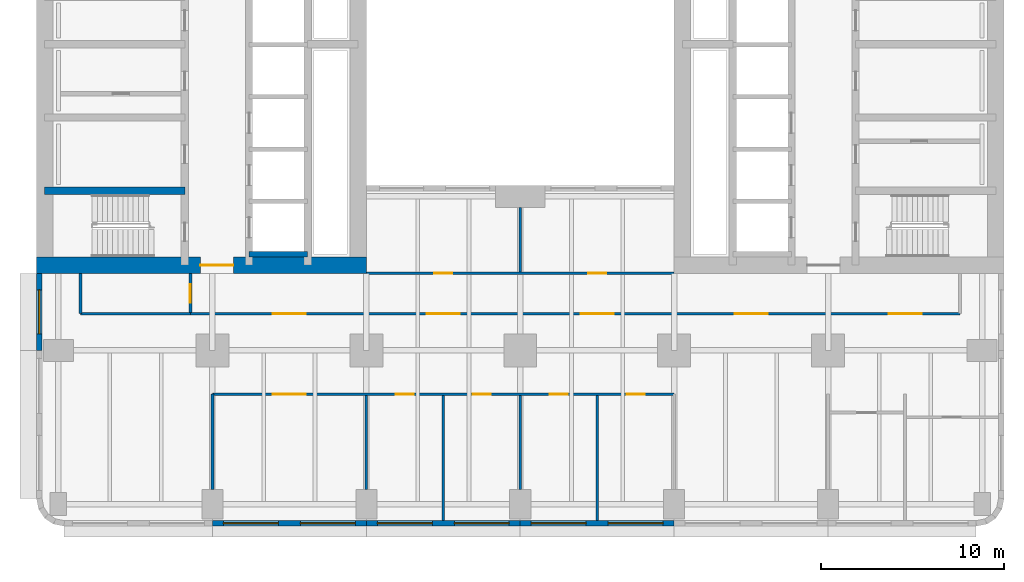
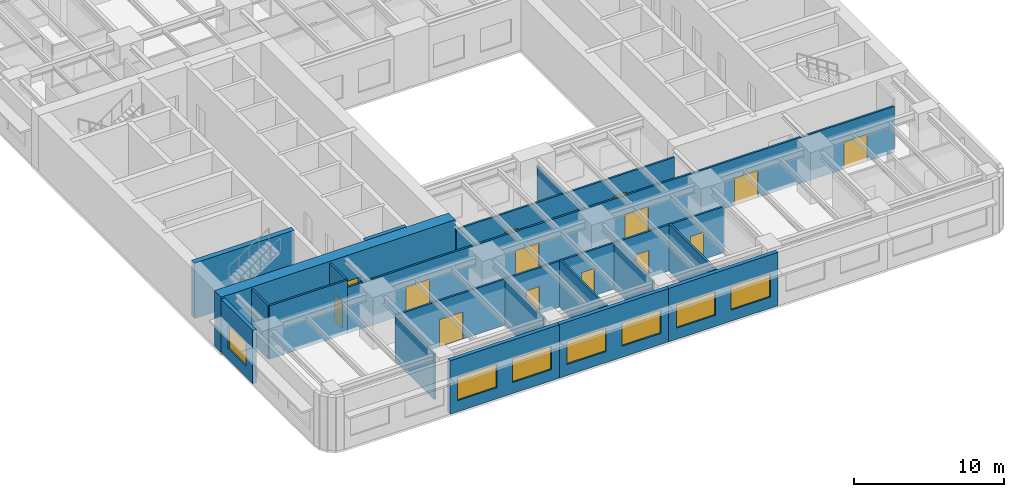
# One storey, part 3 of 14: 19 walls, 14 doors, 7 windows, 21 openings.
"""IFC4 building model written with IfcOpenShell, lengths in metres."""

from ifc_helpers import new_model, si_unit, direction, frame, frame_2d, origin, place, context, subcontext, project, spatial, rectangle, extrude, material, layer, layer_set, type_object, element, fill, save


model = new_model("IFC4")

# Units and contexts
model_context = context("Model", 3, precision=1e-05, world=origin(), true_north=direction((0.0, 1.0)))
body_context = subcontext(model_context, "Body", "Model", "MODEL_VIEW")
ifc_project = project(units=[si_unit("LENGTHUNIT", "METRE"), si_unit("AREAUNIT", "SQUARE_METRE"), si_unit("VOLUMEUNIT", "CUBIC_METRE"), si_unit("PLANEANGLEUNIT", "RADIAN"), si_unit("MASSUNIT", "GRAM", prefix="KILO")], contexts=[model_context])

# Site, building, storey
site_placement = place(None, origin())
site = spatial("IfcSite", under=ifc_project, at=site_placement, CompositionType="ELEMENT")
building_placement = place(site_placement, origin())
building = spatial("IfcBuilding", under=site, at=building_placement, Name="Claustro Exchange Tower", CompositionType="ELEMENT")
storey_placement = place(building_placement, frame((0.0, 0.0, 59.39990234375)))
storey = spatial("IfcBuildingStorey", under=building, at=storey_placement, Name="L13", CompositionType="ELEMENT", Elevation=59.39990234375)

# Wall, openings, doors
ifc_material_1 = material(Name="Gypsum board on steel studs", Category="steel")
ifc_layer_1 = layer(ifc_material_1, 0.14990234375)
ifc_layer_set_1 = layer_set([ifc_layer_1], Name="Gypsum board on steel studs")
wall_type_1 = type_object("IfcWallType", Name="P1 150 plasterboard partition", PredefinedType="PARTITIONING", material=ifc_layer_set_1)
wall_1_placement = place(storey_placement, frame((8.39990234375, 6.0, 0.0), z_axis=(0.0, 0.0, 1.0), x_axis=(1.0, 0.0, 0.0)))
wall_1 = element("IfcWall", 1, at=wall_1_placement, inside=storey, type_object=wall_type_1, Name="Partition P1 L13", PredefinedType="PARTITIONING", context=body_context, shape_type="SweptSolid", body=[
    extrude(rectangle(XDim=25.2001953125, YDim=0.14990234375, at=frame_2d((12.60009765625, 0.0))), origin(), (0.0, 0.0, 1.0), 3.739990234375),
])
opening_1_placement = place(wall_1_placement, frame((3.300048828125, 0.0, 0.0)))
opening_1 = element("IfcOpeningElement", 2, at=opening_1_placement, cuts=wall_1, Name="Opening D2", PredefinedType="OPENING", context=body_context, shape_type="SweptSolid", body=[
    extrude(rectangle(XDim=1.800048828125, YDim=2.199951171875, at=frame_2d((0.89990234375, 1.10009765625))), frame((0.0, 0.0849609375, 0.0), z_axis=(0.0, -1.0, 0.0), x_axis=(1.0, 0.0, 0.0)), (0.0, 0.0, 1.0), 0.169921875),
])
opening_2_placement = place(wall_1_placement, frame((10.0, 0.0, 0.0)))
opening_2 = element("IfcOpeningElement", 3, at=opening_2_placement, cuts=wall_1, Name="Opening D1", PredefinedType="OPENING", context=body_context, shape_type="SweptSolid", body=[
    extrude(rectangle(XDim=1.0, YDim=2.199951171875, at=frame_2d((0.5, 1.10009765625))), frame((0.0, 0.0849609375, 0.0), z_axis=(0.0, -1.0, 0.0), x_axis=(1.0, 0.0, 0.0)), (0.0, 0.0, 1.0), 0.169921875),
])
opening_3_placement = place(wall_1_placement, frame((14.199951171875, 0.0, 0.0)))
opening_3 = element("IfcOpeningElement", 4, at=opening_3_placement, cuts=wall_1, Name="Opening D1", PredefinedType="OPENING", context=body_context, shape_type="SweptSolid", body=[
    extrude(rectangle(XDim=1.0, YDim=2.199951171875, at=frame_2d((0.5, 1.10009765625))), frame((0.0, 0.0849609375, 0.0), z_axis=(0.0, -1.0, 0.0), x_axis=(1.0, 0.0, 0.0)), (0.0, 0.0, 1.0), 0.169921875),
])
opening_4_placement = place(wall_1_placement, frame((18.39990234375, 0.0, 0.0)))
opening_4 = element("IfcOpeningElement", 5, at=opening_4_placement, cuts=wall_1, Name="Opening D1", PredefinedType="OPENING", context=body_context, shape_type="SweptSolid", body=[
    extrude(rectangle(XDim=1.0, YDim=2.199951171875, at=frame_2d((0.5, 1.10009765625))), frame((0.0, 0.0849609375, 0.0), z_axis=(0.0, -1.0, 0.0), x_axis=(1.0, 0.0, 0.0)), (0.0, 0.0, 1.0), 0.169921875),
])
opening_5_placement = place(wall_1_placement, frame((22.60009765625, 0.0, 0.0)))
opening_5 = element("IfcOpeningElement", 6, at=opening_5_placement, cuts=wall_1, Name="Opening D1", PredefinedType="OPENING", context=body_context, shape_type="SweptSolid", body=[
    extrude(rectangle(XDim=1.0, YDim=2.199951171875, at=frame_2d((0.5, 1.10009765625))), frame((0.0, 0.0849609375, 0.0), z_axis=(0.0, -1.0, 0.0), x_axis=(1.0, 0.0, 0.0)), (0.0, 0.0, 1.0), 0.169921875),
])
ifc_material_2 = material(Name="Timber door, oak veneer", Category="wood")
door_type_1 = type_object("IfcDoorType", Name="D1 1000 x 2200 single door", OperationType="SINGLE_SWING_LEFT", PredefinedType="DOOR", material=ifc_material_2)
door_1_placement = place(opening_2_placement, frame((1.0, 0.0, 0.0), z_axis=(0.0, 0.0, 1.0), x_axis=(-1.0, 0.0, 0.0)))
door_1 = element("IfcDoor", 7, at=door_1_placement, inside=storey, type_object=door_type_1, Name="Door D1 L13", OperationType="SINGLE_SWING_RIGHT", OverallHeight=2.199951171875, OverallWidth=1.0, PredefinedType="DOOR", context=body_context, shape_type="SweptSolid", body=[
    extrude(rectangle(XDim=1.0, YDim=2.199951171875, at=frame_2d((0.5, 1.10009765625))), frame((0.0, 0.02490234375, 0.0), z_axis=(0.0, -1.0, 0.0), x_axis=(1.0, 0.0, 0.0)), (0.0, 0.0, 1.0), 0.050048828125),
])
fill(opening_2, door_1)
door_2_placement = place(opening_3_placement, frame((1.0, 0.0, 0.0), z_axis=(0.0, 0.0, 1.0), x_axis=(-1.0, 0.0, 0.0)))
door_2 = element("IfcDoor", 8, at=door_2_placement, inside=storey, type_object=door_type_1, Name="Door D1 L13", OperationType="SINGLE_SWING_LEFT", OverallHeight=2.199951171875, OverallWidth=1.0, PredefinedType="DOOR", context=body_context, shape_type="SweptSolid", body=[
    extrude(rectangle(XDim=1.0, YDim=2.199951171875, at=frame_2d((0.5, 1.10009765625))), frame((0.0, 0.02490234375, 0.0), z_axis=(0.0, -1.0, 0.0), x_axis=(1.0, 0.0, 0.0)), (0.0, 0.0, 1.0), 0.050048828125),
])
fill(opening_3, door_2)
door_3_placement = place(opening_4_placement, frame((1.0, 0.0, 0.0), z_axis=(0.0, 0.0, 1.0), x_axis=(-1.0, 0.0, 0.0)))
door_3 = element("IfcDoor", 9, at=door_3_placement, inside=storey, type_object=door_type_1, Name="Door D1 L13", OperationType="SINGLE_SWING_RIGHT", OverallHeight=2.199951171875, OverallWidth=1.0, PredefinedType="DOOR", context=body_context, shape_type="SweptSolid", body=[
    extrude(rectangle(XDim=1.0, YDim=2.199951171875, at=frame_2d((0.5, 1.10009765625))), frame((0.0, 0.02490234375, 0.0), z_axis=(0.0, -1.0, 0.0), x_axis=(1.0, 0.0, 0.0)), (0.0, 0.0, 1.0), 0.050048828125),
])
fill(opening_4, door_3)
door_4_placement = place(opening_5_placement, frame((1.0, 0.0, 0.0), z_axis=(0.0, 0.0, 1.0), x_axis=(-1.0, 0.0, 0.0)))
door_4 = element("IfcDoor", 10, at=door_4_placement, inside=storey, type_object=door_type_1, Name="Door D1 L13", OperationType="SINGLE_SWING_RIGHT", OverallHeight=2.199951171875, OverallWidth=1.0, PredefinedType="DOOR", context=body_context, shape_type="SweptSolid", body=[
    extrude(rectangle(XDim=1.0, YDim=2.199951171875, at=frame_2d((0.5, 1.10009765625))), frame((0.0, 0.02490234375, 0.0), z_axis=(0.0, -1.0, 0.0), x_axis=(1.0, 0.0, 0.0)), (0.0, 0.0, 1.0), 0.050048828125),
])
fill(opening_5, door_4)
ifc_material_3 = material(Name="Timber door, oak veneer", Category="wood")
door_type_2 = type_object("IfcDoorType", Name="D2 1800 x 2200 double door", OperationType="DOUBLE_DOOR_SINGLE_SWING", PredefinedType="DOOR", material=ifc_material_3)
door_5_placement = place(opening_1_placement, frame((1.800048828125, 0.0, 0.0), z_axis=(0.0, 0.0, 1.0), x_axis=(-1.0, 0.0, 0.0)))
door_5 = element("IfcDoor", 11, at=door_5_placement, inside=storey, type_object=door_type_2, Name="Double door D2 L13", OperationType="DOUBLE_DOOR_SINGLE_SWING", OverallHeight=2.199951171875, OverallWidth=1.800048828125, PredefinedType="DOOR", context=body_context, shape_type="SweptSolid", body=[
    extrude(rectangle(XDim=1.800048828125, YDim=2.199951171875, at=frame_2d((0.89990234375, 1.10009765625))), frame((0.0, 0.02490234375, 0.0), z_axis=(0.0, -1.0, 0.0), x_axis=(1.0, 0.0, 0.0)), (0.0, 0.0, 1.0), 0.050048828125),
])
fill(opening_1, door_5)

# Walls
wall_2_placement = place(storey_placement, frame((8.39990234375, 0.799072265625, 0.0), z_axis=(0.0, 0.0, 1.0), x_axis=(0.0, 1.0, 0.0)))
element("IfcWall", 12, at=wall_2_placement, inside=storey, type_object=wall_type_1, Name="Partition P1 L13", PredefinedType="PARTITIONING", context=body_context, shape_type="SweptSolid", body=[
    extrude(rectangle(XDim=5.200927734375, YDim=0.14990234375, at=frame_2d((2.6005859375, 0.0))), origin(), (0.0, 0.0, 1.0), 3.739990234375),
])
wall_3_placement = place(storey_placement, frame((16.800048828125, 0.799072265625, 0.0), z_axis=(0.0, 0.0, 1.0), x_axis=(0.0, 1.0, 0.0)))
element("IfcWall", 13, at=wall_3_placement, inside=storey, type_object=wall_type_1, Name="Partition P1 L13", PredefinedType="PARTITIONING", context=body_context, shape_type="SweptSolid", body=[
    extrude(rectangle(XDim=5.126953125, YDim=0.14990234375, at=frame_2d((2.5634765625, 0.0))), origin(), (0.0, 0.0, 1.0), 3.739990234375),
])
wall_4_placement = place(storey_placement, frame((21.0, -0.902099609375, 0.0), z_axis=(0.0, 0.0, 1.0), x_axis=(0.0, 1.0, 0.0)))
element("IfcWall", 14, at=wall_4_placement, inside=storey, type_object=wall_type_1, Name="Partition P1 L13", PredefinedType="PARTITIONING", context=body_context, shape_type="SweptSolid", body=[
    extrude(rectangle(XDim=6.828125, YDim=0.14990234375, at=frame_2d((3.4140625, 0.0))), origin(), (0.0, 0.0, 1.0), 3.840087890625),
])
wall_5_placement = place(storey_placement, frame((25.199951171875, 0.799072265625, 0.0), z_axis=(0.0, 0.0, 1.0), x_axis=(0.0, 1.0, 0.0)))
element("IfcWall", 15, at=wall_5_placement, inside=storey, type_object=wall_type_1, Name="Partition P1 L13", PredefinedType="PARTITIONING", context=body_context, shape_type="SweptSolid", body=[
    extrude(rectangle(XDim=5.126953125, YDim=0.14990234375, at=frame_2d((2.5634765625, 0.0))), origin(), (0.0, 0.0, 1.0), 3.739990234375),
])
wall_6_placement = place(storey_placement, frame((29.39990234375, -0.902099609375, 0.0), z_axis=(0.0, 0.0, 1.0), x_axis=(0.0, 1.0, 0.0)))
element("IfcWall", 16, at=wall_6_placement, inside=storey, type_object=wall_type_1, Name="Partition P1 L13", PredefinedType="PARTITIONING", context=body_context, shape_type="SweptSolid", body=[
    extrude(rectangle(XDim=6.828125, YDim=0.14990234375, at=frame_2d((3.4140625, 0.0))), origin(), (0.0, 0.0, 1.0), 3.840087890625),
])

# Wall, openings, doors
wall_7_placement = place(storey_placement, frame((7.197998046875, 10.39990234375, 0.0), z_axis=(0.0, 0.0, 1.0), x_axis=(1.0, 0.0, 0.0)))
wall_7 = element("IfcWall", 17, at=wall_7_placement, inside=storey, type_object=wall_type_1, Name="Partition P1 L13", PredefinedType="PARTITIONING", context=body_context, shape_type="SweptSolid", body=[
    extrude(rectangle(XDim=42.001953125, YDim=0.14990234375, at=frame_2d((21.0009765625, 0.0))), origin(), (0.0, 0.0, 1.0), 3.739990234375),
])
opening_6_placement = place(wall_7_placement, frame((4.501953125, 0.0, 0.0)))
opening_6 = element("IfcOpeningElement", 18, at=opening_6_placement, cuts=wall_7, Name="Opening D2", PredefinedType="OPENING", context=body_context, shape_type="SweptSolid", body=[
    extrude(rectangle(XDim=1.800048828125, YDim=2.199951171875, at=frame_2d((0.89990234375, 1.10009765625))), frame((0.0, 0.0849609375, 0.0), z_axis=(0.0, -1.0, 0.0), x_axis=(1.0, 0.0, 0.0)), (0.0, 0.0, 1.0), 0.169921875),
])
opening_7_placement = place(wall_7_placement, frame((12.902099609375, 0.0, 0.0)))
opening_7 = element("IfcOpeningElement", 19, at=opening_7_placement, cuts=wall_7, Name="Opening D2", PredefinedType="OPENING", context=body_context, shape_type="SweptSolid", body=[
    extrude(rectangle(XDim=1.800048828125, YDim=2.199951171875, at=frame_2d((0.89990234375, 1.10009765625))), frame((0.0, 0.0849609375, 0.0), z_axis=(0.0, -1.0, 0.0), x_axis=(1.0, 0.0, 0.0)), (0.0, 0.0, 1.0), 0.169921875),
])
opening_8_placement = place(wall_7_placement, frame((21.302001953125, 0.0, 0.0)))
opening_8 = element("IfcOpeningElement", 20, at=opening_8_placement, cuts=wall_7, Name="Opening D2", PredefinedType="OPENING", context=body_context, shape_type="SweptSolid", body=[
    extrude(rectangle(XDim=1.800048828125, YDim=2.199951171875, at=frame_2d((0.89990234375, 1.10009765625))), frame((0.0, 0.0849609375, 0.0), z_axis=(0.0, -1.0, 0.0), x_axis=(1.0, 0.0, 0.0)), (0.0, 0.0, 1.0), 0.169921875),
])
opening_9_placement = place(wall_7_placement, frame((29.701904296875, 0.0, 0.0)))
opening_9 = element("IfcOpeningElement", 21, at=opening_9_placement, cuts=wall_7, Name="Opening D2", PredefinedType="OPENING", context=body_context, shape_type="SweptSolid", body=[
    extrude(rectangle(XDim=1.800048828125, YDim=2.199951171875, at=frame_2d((0.89990234375, 1.10009765625))), frame((0.0, 0.0849609375, 0.0), z_axis=(0.0, -1.0, 0.0), x_axis=(1.0, 0.0, 0.0)), (0.0, 0.0, 1.0), 0.169921875),
])
opening_10_placement = place(wall_7_placement, frame((38.10205078125, 0.0, 0.0)))
opening_10 = element("IfcOpeningElement", 22, at=opening_10_placement, cuts=wall_7, Name="Opening D2", PredefinedType="OPENING", context=body_context, shape_type="SweptSolid", body=[
    extrude(rectangle(XDim=1.800048828125, YDim=2.199951171875, at=frame_2d((0.89990234375, 1.10009765625))), frame((0.0, 0.0849609375, 0.0), z_axis=(0.0, -1.0, 0.0), x_axis=(1.0, 0.0, 0.0)), (0.0, 0.0, 1.0), 0.169921875),
])
door_6_placement = place(opening_6_placement, frame((1.800048828125, 0.0, 0.0), z_axis=(0.0, 0.0, 1.0), x_axis=(-1.0, 0.0, 0.0)))
door_6 = element("IfcDoor", 23, at=door_6_placement, inside=storey, type_object=door_type_2, Name="Double door D2 L13", OperationType="DOUBLE_DOOR_SINGLE_SWING", OverallHeight=2.199951171875, OverallWidth=1.800048828125, PredefinedType="DOOR", context=body_context, shape_type="SweptSolid", body=[
    extrude(rectangle(XDim=1.800048828125, YDim=2.199951171875, at=frame_2d((0.89990234375, 1.10009765625))), frame((0.0, 0.02490234375, 0.0), z_axis=(0.0, -1.0, 0.0), x_axis=(1.0, 0.0, 0.0)), (0.0, 0.0, 1.0), 0.050048828125),
])
fill(opening_6, door_6)
door_7_placement = place(opening_7_placement, frame((1.800048828125, 0.0, 0.0), z_axis=(0.0, 0.0, 1.0), x_axis=(-1.0, 0.0, 0.0)))
door_7 = element("IfcDoor", 24, at=door_7_placement, inside=storey, type_object=door_type_2, Name="Double door D2 L13", OperationType="DOUBLE_DOOR_SINGLE_SWING", OverallHeight=2.199951171875, OverallWidth=1.800048828125, PredefinedType="DOOR", context=body_context, shape_type="SweptSolid", body=[
    extrude(rectangle(XDim=1.800048828125, YDim=2.199951171875, at=frame_2d((0.89990234375, 1.10009765625))), frame((0.0, 0.02490234375, 0.0), z_axis=(0.0, -1.0, 0.0), x_axis=(1.0, 0.0, 0.0)), (0.0, 0.0, 1.0), 0.050048828125),
])
fill(opening_7, door_7)
door_8_placement = place(opening_8_placement, frame((1.800048828125, 0.0, 0.0), z_axis=(0.0, 0.0, 1.0), x_axis=(-1.0, 0.0, 0.0)))
door_8 = element("IfcDoor", 25, at=door_8_placement, inside=storey, type_object=door_type_2, Name="Double door D2 L13", OperationType="DOUBLE_DOOR_SINGLE_SWING", OverallHeight=2.199951171875, OverallWidth=1.800048828125, PredefinedType="DOOR", context=body_context, shape_type="SweptSolid", body=[
    extrude(rectangle(XDim=1.800048828125, YDim=2.199951171875, at=frame_2d((0.89990234375, 1.10009765625))), frame((0.0, 0.02490234375, 0.0), z_axis=(0.0, -1.0, 0.0), x_axis=(1.0, 0.0, 0.0)), (0.0, 0.0, 1.0), 0.050048828125),
])
fill(opening_8, door_8)
door_9_placement = place(opening_9_placement, frame((1.800048828125, 0.0, 0.0), z_axis=(0.0, 0.0, 1.0), x_axis=(-1.0, 0.0, 0.0)))
door_9 = element("IfcDoor", 26, at=door_9_placement, inside=storey, type_object=door_type_2, Name="Double door D2 L13", OperationType="DOUBLE_DOOR_SINGLE_SWING", OverallHeight=2.199951171875, OverallWidth=1.800048828125, PredefinedType="DOOR", context=body_context, shape_type="SweptSolid", body=[
    extrude(rectangle(XDim=1.800048828125, YDim=2.199951171875, at=frame_2d((0.89990234375, 1.10009765625))), frame((0.0, 0.02490234375, 0.0), z_axis=(0.0, -1.0, 0.0), x_axis=(1.0, 0.0, 0.0)), (0.0, 0.0, 1.0), 0.050048828125),
])
fill(opening_9, door_9)
door_10_placement = place(opening_10_placement, frame((1.800048828125, 0.0, 0.0), z_axis=(0.0, 0.0, 1.0), x_axis=(-1.0, 0.0, 0.0)))
door_10 = element("IfcDoor", 27, at=door_10_placement, inside=storey, type_object=door_type_2, Name="Double door D2 L13", OperationType="DOUBLE_DOOR_SINGLE_SWING", OverallHeight=2.199951171875, OverallWidth=1.800048828125, PredefinedType="DOOR", context=body_context, shape_type="SweptSolid", body=[
    extrude(rectangle(XDim=1.800048828125, YDim=2.199951171875, at=frame_2d((0.89990234375, 1.10009765625))), frame((0.0, 0.02490234375, 0.0), z_axis=(0.0, -1.0, 0.0), x_axis=(1.0, 0.0, 0.0)), (0.0, 0.0, 1.0), 0.050048828125),
])
fill(opening_10, door_10)

# Wall, opening, door
wall_8_placement = place(storey_placement, frame((7.199951171875, 10.47412109375, 0.0), z_axis=(0.0, 0.0, 1.0), x_axis=(0.0, 1.0, 0.0)))
wall_8 = element("IfcWall", 28, at=wall_8_placement, inside=storey, type_object=wall_type_1, Name="Partition P1 L13", PredefinedType="PARTITIONING", context=body_context, shape_type="SweptSolid", body=[
    extrude(rectangle(XDim=2.1279296875, YDim=0.14990234375, at=frame_2d((1.06396484375, 0.0))), origin(), (0.0, 0.0, 1.0), 4.340087890625),
])
opening_11_placement = place(wall_8_placement, frame((0.52587890625, 0.0, 0.0)))
opening_11 = element("IfcOpeningElement", 29, at=opening_11_placement, cuts=wall_8, Name="Opening D1", PredefinedType="OPENING", context=body_context, shape_type="SweptSolid", body=[
    extrude(rectangle(XDim=1.0, YDim=2.199951171875, at=frame_2d((0.5, 1.10009765625))), frame((0.0, 0.0849609375, 0.0), z_axis=(0.0, -1.0, 0.0), x_axis=(1.0, 0.0, 0.0)), (0.0, 0.0, 1.0), 0.169921875),
])
door_11_placement = place(opening_11_placement, origin())
door_11 = element("IfcDoor", 30, at=door_11_placement, inside=storey, type_object=door_type_1, Name="Door D1 L13", OperationType="SINGLE_SWING_RIGHT", OverallHeight=2.199951171875, OverallWidth=1.0, PredefinedType="DOOR", context=body_context, shape_type="SweptSolid", body=[
    extrude(rectangle(XDim=1.0, YDim=2.199951171875, at=frame_2d((0.5, 1.10009765625))), frame((0.0, 0.02490234375, 0.0), z_axis=(0.0, -1.0, 0.0), x_axis=(1.0, 0.0, 0.0)), (0.0, 0.0, 1.0), 0.050048828125),
])
fill(opening_11, door_11)

# Walls
wall_9_placement = place(storey_placement, frame((1.199951171875, 10.39990234375, 0.0), z_axis=(0.0, 0.0, 1.0), x_axis=(1.0, 0.0, 0.0)))
element("IfcWall", 31, at=wall_9_placement, inside=storey, type_object=wall_type_1, Name="Partition P1 L13", PredefinedType="PARTITIONING", context=body_context, shape_type="SweptSolid", body=[
    extrude(rectangle(XDim=6.001953125, YDim=0.14990234375, at=frame_2d((3.0009765625, 0.0))), origin(), (0.0, 0.0, 1.0), 4.340087890625),
])
wall_10_placement = place(storey_placement, frame((1.199951171875, 10.39990234375, 0.0), z_axis=(0.0, 0.0, 1.0), x_axis=(0.0, 1.0, 0.0)))
element("IfcWall", 32, at=wall_10_placement, inside=storey, type_object=wall_type_1, Name="Partition P1 L13", PredefinedType="PARTITIONING", context=body_context, shape_type="SweptSolid", body=[
    extrude(rectangle(XDim=2.2021484375, YDim=0.14990234375, at=frame_2d((1.10107421875, 0.0))), origin(), (0.0, 0.0, 1.0), 4.340087890625),
])
wall_11_placement = place(storey_placement, frame((25.199951171875, 12.674072265625, 0.0), z_axis=(0.0, 0.0, 1.0), x_axis=(0.0, 1.0, 0.0)))
element("IfcWall", 33, at=wall_11_placement, inside=storey, type_object=wall_type_1, Name="Partition P1 L13", PredefinedType="PARTITIONING", context=body_context, shape_type="SweptSolid", body=[
    extrude(rectangle(XDim=3.52685546875, YDim=0.14990234375, at=frame_2d((1.763427734375, 0.0))), origin(), (0.0, 0.0, 1.0), 3.739990234375),
])

# Wall, openings, doors
wall_12_placement = place(storey_placement, frame((16.820068359375, 12.60009765625, 0.0), z_axis=(0.0, 0.0, 1.0), x_axis=(1.0, 0.0, 0.0)))
wall_12 = element("IfcWall", 34, at=wall_12_placement, inside=storey, type_object=wall_type_1, Name="Partition P1 L13", PredefinedType="PARTITIONING", context=body_context, shape_type="SweptSolid", body=[
    extrude(rectangle(XDim=16.760009765625, YDim=0.14990234375, at=frame_2d((8.3798828125, 0.0))), origin(), (0.0, 0.0, 1.0), 3.739990234375),
])
opening_12_placement = place(wall_12_placement, frame((3.679931640625, 0.0, 0.0)))
opening_12 = element("IfcOpeningElement", 35, at=opening_12_placement, cuts=wall_12, Name="Opening D1", PredefinedType="OPENING", context=body_context, shape_type="SweptSolid", body=[
    extrude(rectangle(XDim=1.0, YDim=2.199951171875, at=frame_2d((0.5, 1.10009765625))), frame((0.0, 0.0849609375, 0.0), z_axis=(0.0, -1.0, 0.0), x_axis=(1.0, 0.0, 0.0)), (0.0, 0.0, 1.0), 0.169921875),
])
opening_13_placement = place(wall_12_placement, frame((12.080078125, 0.0, 0.0)))
opening_13 = element("IfcOpeningElement", 36, at=opening_13_placement, cuts=wall_12, Name="Opening D1", PredefinedType="OPENING", context=body_context, shape_type="SweptSolid", body=[
    extrude(rectangle(XDim=1.0, YDim=2.199951171875, at=frame_2d((0.5, 1.10009765625))), frame((0.0, 0.0849609375, 0.0), z_axis=(0.0, -1.0, 0.0), x_axis=(1.0, 0.0, 0.0)), (0.0, 0.0, 1.0), 0.169921875),
])
door_12_placement = place(opening_12_placement, origin())
door_12 = element("IfcDoor", 37, at=door_12_placement, inside=storey, type_object=door_type_1, Name="Door D1 L13", OperationType="SINGLE_SWING_RIGHT", OverallHeight=2.199951171875, OverallWidth=1.0, PredefinedType="DOOR", context=body_context, shape_type="SweptSolid", body=[
    extrude(rectangle(XDim=1.0, YDim=2.199951171875, at=frame_2d((0.5, 1.10009765625))), frame((0.0, 0.02490234375, 0.0), z_axis=(0.0, -1.0, 0.0), x_axis=(1.0, 0.0, 0.0)), (0.0, 0.0, 1.0), 0.050048828125),
])
fill(opening_12, door_12)
door_13_placement = place(opening_13_placement, origin())
door_13 = element("IfcDoor", 38, at=door_13_placement, inside=storey, type_object=door_type_1, Name="Door D1 L13", OperationType="SINGLE_SWING_LEFT", OverallHeight=2.199951171875, OverallWidth=1.0, PredefinedType="DOOR", context=body_context, shape_type="SweptSolid", body=[
    extrude(rectangle(XDim=1.0, YDim=2.199951171875, at=frame_2d((0.5, 1.10009765625))), frame((0.0, 0.02490234375, 0.0), z_axis=(0.0, -1.0, 0.0), x_axis=(1.0, 0.0, 0.0)), (0.0, 0.0, 1.0), 0.050048828125),
])
fill(opening_13, door_13)

# Wall, openings, windows
ifc_material_4 = material(Name="Concrete HA-40 (C40/50), precast, white cement, acid-etched", Category="concrete")
ifc_layer_2 = layer(ifc_material_4, 0.300048828125)
ifc_layer_set_2 = layer_set([ifc_layer_2], Name="Concrete HA-40 (C40/50), precast, white cement, acid-etched")
wall_type_2 = type_object("IfcWallType", Name="PC1 300 precast concrete pier panel", PredefinedType="SOLIDWALL", material=ifc_layer_set_2)
wall_13_placement = place(storey_placement, frame((33.60009765625, -1.050048828125, 0.0), z_axis=(0.0, 0.0, 1.0), x_axis=(-1.0, 0.0, 0.0)))
wall_13 = element("IfcWall", 39, at=wall_13_placement, inside=storey, type_object=wall_type_2, Name="Precast pier panel PC1 L13", PredefinedType="SOLIDWALL", context=body_context, shape_type="SweptSolid", body=[
    extrude(rectangle(XDim=8.400146484375, YDim=0.300048828125, at=frame_2d((4.2001953125, 0.0))), origin(), (0.0, 0.0, 1.0), 4.340087890625),
])
opening_14_placement = place(wall_13_placement, frame((0.60009765625, 0.0, 0.89990234375)))
opening_14 = element("IfcOpeningElement", 40, at=opening_14_placement, cuts=wall_13, Name="Opening W1", PredefinedType="OPENING", context=body_context, shape_type="SweptSolid", body=[
    extrude(rectangle(XDim=3.0, YDim=1.89990234375, at=frame_2d((1.5, 0.949951171875))), frame((0.0, 0.159912109375, 0.0), z_axis=(0.0, -1.0, 0.0), x_axis=(1.0, 0.0, 0.0)), (0.0, 0.0, 1.0), 0.320068359375),
])
opening_15_placement = place(wall_13_placement, frame((4.800048828125, 0.0, 0.89990234375)))
opening_15 = element("IfcOpeningElement", 41, at=opening_15_placement, cuts=wall_13, Name="Opening W1", PredefinedType="OPENING", context=body_context, shape_type="SweptSolid", body=[
    extrude(rectangle(XDim=3.0, YDim=1.89990234375, at=frame_2d((1.5, 0.949951171875))), frame((0.0, 0.159912109375, 0.0), z_axis=(0.0, -1.0, 0.0), x_axis=(1.0, 0.0, 0.0)), (0.0, 0.0, 1.0), 0.320068359375),
])
ifc_material_5 = material(Name="Aluminium frame, clear double glazing", Category="aluminium")
window_type_1 = type_object("IfcWindowType", Name="W1 3000 x 1900 window", PartitioningType="SINGLE_PANEL", PredefinedType="WINDOW", material=ifc_material_5)
window_1_placement = place(opening_14_placement, origin())
window_1 = element("IfcWindow", 42, at=window_1_placement, inside=storey, type_object=window_type_1, Name="Window W1 L13", OverallHeight=1.89990234375, OverallWidth=3.0, PartitioningType="SINGLE_PANEL", PredefinedType="WINDOW", context=body_context, shape_type="SweptSolid", body=[
    extrude(rectangle(XDim=3.0, YDim=1.89990234375, at=frame_2d((1.5, 0.949951171875))), frame((0.0, 0.030029296875, 0.0), z_axis=(0.0, -1.0, 0.0), x_axis=(1.0, 0.0, 0.0)), (0.0, 0.0, 1.0), 0.06005859375),
])
fill(opening_14, window_1)
window_2_placement = place(opening_15_placement, origin())
window_2 = element("IfcWindow", 43, at=window_2_placement, inside=storey, type_object=window_type_1, Name="Window W1 L13", OverallHeight=1.89990234375, OverallWidth=3.0, PartitioningType="SINGLE_PANEL", PredefinedType="WINDOW", context=body_context, shape_type="SweptSolid", body=[
    extrude(rectangle(XDim=3.0, YDim=1.89990234375, at=frame_2d((1.5, 0.949951171875))), frame((0.0, 0.030029296875, 0.0), z_axis=(0.0, -1.0, 0.0), x_axis=(1.0, 0.0, 0.0)), (0.0, 0.0, 1.0), 0.06005859375),
])
fill(opening_15, window_2)

wall_14_placement = place(storey_placement, frame((25.199951171875, -1.050048828125, 0.0), z_axis=(0.0, 0.0, 1.0), x_axis=(-1.0, 0.0, 0.0)))
wall_14 = element("IfcWall", 44, at=wall_14_placement, inside=storey, type_object=wall_type_2, Name="Precast pier panel PC1 L13", PredefinedType="SOLIDWALL", context=body_context, shape_type="SweptSolid", body=[
    extrude(rectangle(XDim=8.39990234375, YDim=0.300048828125, at=frame_2d((4.199951171875, 0.0))), origin(), (0.0, 0.0, 1.0), 4.340087890625),
])
opening_16_placement = place(wall_14_placement, frame((0.60009765625, 0.0, 0.89990234375)))
opening_16 = element("IfcOpeningElement", 45, at=opening_16_placement, cuts=wall_14, Name="Opening W1", PredefinedType="OPENING", context=body_context, shape_type="SweptSolid", body=[
    extrude(rectangle(XDim=3.0, YDim=1.89990234375, at=frame_2d((1.5, 0.949951171875))), frame((0.0, 0.159912109375, 0.0), z_axis=(0.0, -1.0, 0.0), x_axis=(1.0, 0.0, 0.0)), (0.0, 0.0, 1.0), 0.320068359375),
])
opening_17_placement = place(wall_14_placement, frame((4.800048828125, 0.0, 0.89990234375)))
opening_17 = element("IfcOpeningElement", 46, at=opening_17_placement, cuts=wall_14, Name="Opening W1", PredefinedType="OPENING", context=body_context, shape_type="SweptSolid", body=[
    extrude(rectangle(XDim=3.0, YDim=1.89990234375, at=frame_2d((1.5, 0.949951171875))), frame((0.0, 0.159912109375, 0.0), z_axis=(0.0, -1.0, 0.0), x_axis=(1.0, 0.0, 0.0)), (0.0, 0.0, 1.0), 0.320068359375),
])
window_3_placement = place(opening_16_placement, origin())
window_3 = element("IfcWindow", 47, at=window_3_placement, inside=storey, type_object=window_type_1, Name="Window W1 L13", OverallHeight=1.89990234375, OverallWidth=3.0, PartitioningType="SINGLE_PANEL", PredefinedType="WINDOW", context=body_context, shape_type="SweptSolid", body=[
    extrude(rectangle(XDim=3.0, YDim=1.89990234375, at=frame_2d((1.5, 0.949951171875))), frame((0.0, 0.030029296875, 0.0), z_axis=(0.0, -1.0, 0.0), x_axis=(1.0, 0.0, 0.0)), (0.0, 0.0, 1.0), 0.06005859375),
])
fill(opening_16, window_3)
window_4_placement = place(opening_17_placement, origin())
window_4 = element("IfcWindow", 48, at=window_4_placement, inside=storey, type_object=window_type_1, Name="Window W1 L13", OverallHeight=1.89990234375, OverallWidth=3.0, PartitioningType="SINGLE_PANEL", PredefinedType="WINDOW", context=body_context, shape_type="SweptSolid", body=[
    extrude(rectangle(XDim=3.0, YDim=1.89990234375, at=frame_2d((1.5, 0.949951171875))), frame((0.0, 0.030029296875, 0.0), z_axis=(0.0, -1.0, 0.0), x_axis=(1.0, 0.0, 0.0)), (0.0, 0.0, 1.0), 0.06005859375),
])
fill(opening_17, window_4)

wall_15_placement = place(storey_placement, frame((16.800048828125, -1.050048828125, 0.0), z_axis=(0.0, 0.0, 1.0), x_axis=(-1.0, 0.0, 0.0)))
wall_15 = element("IfcWall", 49, at=wall_15_placement, inside=storey, type_object=wall_type_2, Name="Precast pier panel PC1 L13", PredefinedType="SOLIDWALL", context=body_context, shape_type="SweptSolid", body=[
    extrude(rectangle(XDim=8.400146484375, YDim=0.300048828125, at=frame_2d((4.2001953125, 0.0))), origin(), (0.0, 0.0, 1.0), 4.340087890625),
])
opening_18_placement = place(wall_15_placement, frame((0.60009765625, 0.0, 0.89990234375)))
opening_18 = element("IfcOpeningElement", 50, at=opening_18_placement, cuts=wall_15, Name="Opening W1", PredefinedType="OPENING", context=body_context, shape_type="SweptSolid", body=[
    extrude(rectangle(XDim=3.0, YDim=1.89990234375, at=frame_2d((1.5, 0.949951171875))), frame((0.0, 0.159912109375, 0.0), z_axis=(0.0, -1.0, 0.0), x_axis=(1.0, 0.0, 0.0)), (0.0, 0.0, 1.0), 0.320068359375),
])
opening_19_placement = place(wall_15_placement, frame((4.800048828125, 0.0, 0.89990234375)))
opening_19 = element("IfcOpeningElement", 51, at=opening_19_placement, cuts=wall_15, Name="Opening W1", PredefinedType="OPENING", context=body_context, shape_type="SweptSolid", body=[
    extrude(rectangle(XDim=3.0, YDim=1.89990234375, at=frame_2d((1.5, 0.949951171875))), frame((0.0, 0.159912109375, 0.0), z_axis=(0.0, -1.0, 0.0), x_axis=(1.0, 0.0, 0.0)), (0.0, 0.0, 1.0), 0.320068359375),
])
window_5_placement = place(opening_18_placement, origin())
window_5 = element("IfcWindow", 52, at=window_5_placement, inside=storey, type_object=window_type_1, Name="Window W1 L13", OverallHeight=1.89990234375, OverallWidth=3.0, PartitioningType="SINGLE_PANEL", PredefinedType="WINDOW", context=body_context, shape_type="SweptSolid", body=[
    extrude(rectangle(XDim=3.0, YDim=1.89990234375, at=frame_2d((1.5, 0.949951171875))), frame((0.0, 0.030029296875, 0.0), z_axis=(0.0, -1.0, 0.0), x_axis=(1.0, 0.0, 0.0)), (0.0, 0.0, 1.0), 0.06005859375),
])
fill(opening_18, window_5)
window_6_placement = place(opening_19_placement, origin())
window_6 = element("IfcWindow", 53, at=window_6_placement, inside=storey, type_object=window_type_1, Name="Window W1 L13", OverallHeight=1.89990234375, OverallWidth=3.0, PartitioningType="SINGLE_PANEL", PredefinedType="WINDOW", context=body_context, shape_type="SweptSolid", body=[
    extrude(rectangle(XDim=3.0, YDim=1.89990234375, at=frame_2d((1.5, 0.949951171875))), frame((0.0, 0.030029296875, 0.0), z_axis=(0.0, -1.0, 0.0), x_axis=(1.0, 0.0, 0.0)), (0.0, 0.0, 1.0), 0.06005859375),
])
fill(opening_19, window_6)

# Wall, opening, window
wall_16_placement = place(storey_placement, frame((-1.050048828125, 8.39990234375, 0.0), z_axis=(0.0, 0.0, 1.0), x_axis=(0.0, 1.0, 0.0)))
wall_16 = element("IfcWall", 54, at=wall_16_placement, inside=storey, type_object=wall_type_2, Name="Precast pier panel PC1 L13", PredefinedType="SOLIDWALL", context=body_context, shape_type="SweptSolid", body=[
    extrude(rectangle(XDim=4.2001953125, YDim=0.300048828125, at=frame_2d((2.10009765625, 0.0))), origin(), (0.0, 0.0, 1.0), 4.340087890625),
])
opening_20_placement = place(wall_16_placement, frame((0.89990234375, 0.0, 0.89990234375)))
opening_20 = element("IfcOpeningElement", 55, at=opening_20_placement, cuts=wall_16, Name="Opening W2", PredefinedType="OPENING", context=body_context, shape_type="SweptSolid", body=[
    extrude(rectangle(XDim=2.39990234375, YDim=1.89990234375, at=frame_2d((1.199951171875, 0.949951171875))), frame((0.0, 0.159912109375, 0.0), z_axis=(0.0, -1.0, 0.0), x_axis=(1.0, 0.0, 0.0)), (0.0, 0.0, 1.0), 0.320068359375),
])
ifc_material_6 = material(Name="Aluminium frame, clear double glazing", Category="aluminium")
window_type_2 = type_object("IfcWindowType", Name="W2 2400 x 1900 window", PartitioningType="SINGLE_PANEL", PredefinedType="WINDOW", material=ifc_material_6)
window_7_placement = place(opening_20_placement, origin())
window_7 = element("IfcWindow", 56, at=window_7_placement, inside=storey, type_object=window_type_2, Name="Window W2 L13", OverallHeight=1.89990234375, OverallWidth=2.39990234375, PartitioningType="SINGLE_PANEL", PredefinedType="WINDOW", context=body_context, shape_type="SweptSolid", body=[
    extrude(rectangle(XDim=2.39990234375, YDim=1.89990234375, at=frame_2d((1.199951171875, 0.949951171875))), frame((0.0, 0.030029296875, 0.0), z_axis=(0.0, -1.0, 0.0), x_axis=(1.0, 0.0, 0.0)), (0.0, 0.0, 1.0), 0.06005859375),
])
fill(opening_20, window_7)

# Wall, opening, door
ifc_material_7 = material(Name="Concrete HA-70 (C70/85)", Category="concrete")
ifc_layer_3 = layer(ifc_material_7, 0.89990234375)
ifc_layer_set_3 = layer_set([ifc_layer_3], Name="Concrete HA-70 (C70/85)")
wall_type_3 = type_object("IfcWallType", Name="SW1 900 core shear wall", PredefinedType="SHEAR", material=ifc_layer_set_3)
wall_17_placement = place(storey_placement, frame((-1.199951171875, 13.050048828125, 0.0), z_axis=(0.0, 0.0, 1.0), x_axis=(1.0, 0.0, 0.0)))
wall_17 = element("IfcWall", 57, at=wall_17_placement, inside=storey, type_object=wall_type_3, Name="Core wall SW1 W core S face L13", PredefinedType="SHEAR", context=body_context, shape_type="SweptSolid", body=[
    extrude(rectangle(XDim=18.0, YDim=0.89990234375, at=frame_2d((9.0, 0.0))), origin(), (0.0, 0.0, 1.0), 4.5),
])
opening_21_placement = place(wall_17_placement, frame((8.949951171875, 0.0, 0.0)))
opening_21 = element("IfcOpeningElement", 58, at=opening_21_placement, cuts=wall_17, Name="Opening D3", PredefinedType="OPENING", context=body_context, shape_type="SweptSolid", body=[
    extrude(rectangle(XDim=1.800048828125, YDim=2.39990234375, at=frame_2d((0.89990234375, 1.199951171875))), frame((0.0, 0.4599609375, 0.0), z_axis=(0.0, -1.0, 0.0), x_axis=(1.0, 0.0, 0.0)), (0.0, 0.0, 1.0), 0.919921875),
])
ifc_material_8 = material(Name="Steel fire door, painted", Category="steel")
door_type_3 = type_object("IfcDoorType", Name="D3 1800 x 2400 fire-rated lobby double door", OperationType="DOUBLE_DOOR_SINGLE_SWING", PredefinedType="DOOR", material=ifc_material_8)
door_14_placement = place(opening_21_placement, origin())
door_14 = element("IfcDoor", 59, at=door_14_placement, inside=storey, type_object=door_type_3, Name="Lift lobby door D3 L13", OperationType="DOUBLE_DOOR_SINGLE_SWING", OverallHeight=2.39990234375, OverallWidth=1.800048828125, PredefinedType="DOOR", context=body_context, shape_type="SweptSolid", body=[
    extrude(rectangle(XDim=1.800048828125, YDim=2.39990234375, at=frame_2d((0.89990234375, 1.199951171875))), frame((0.0, 0.02490234375, 0.0), z_axis=(0.0, -1.0, 0.0), x_axis=(1.0, 0.0, 0.0)), (0.0, 0.0, 1.0), 0.050048828125),
])
fill(opening_21, door_14)

# Walls
ifc_material_9 = material(Name="Concrete HA-50 (C50/60)", Category="concrete")
ifc_layer_4 = layer(ifc_material_9, 0.39990234375)
ifc_layer_set_4 = layer_set([ifc_layer_4], Name="Concrete HA-50 (C50/60)")
wall_type_4 = type_object("IfcWallType", Name="SW4 400 internal core wall", PredefinedType="SHEAR", material=ifc_layer_set_4)
wall_18_placement = place(storey_placement, frame((-0.75, 17.10009765625, 0.0), z_axis=(0.0, 0.0, 1.0), x_axis=(1.0, 0.0, 0.0)))
element("IfcWall", 60, at=wall_18_placement, inside=storey, type_object=wall_type_4, Name="Internal core wall SW4 W core L13", PredefinedType="SHEAR", context=body_context, shape_type="SweptSolid", body=[
    extrude(rectangle(XDim=7.64990234375, YDim=0.39990234375, at=frame_2d((3.824951171875, 0.0))), origin(), (0.0, 0.0, 1.0), 4.5),
])
ifc_material_10 = material(Name="Concrete HA-50 (C50/60)", Category="concrete")
ifc_layer_5 = layer(ifc_material_10, 0.300048828125)
ifc_layer_set_5 = layer_set([ifc_layer_5], Name="Concrete HA-50 (C50/60)")
wall_type_5 = type_object("IfcWallType", Name="SW6A 300 lift shaft end wall", PredefinedType="SHEAR", material=ifc_layer_set_5)
wall_19_placement = place(storey_placement, frame((10.39990234375, 13.64990234375, 0.0), z_axis=(0.0, 0.0, 1.0), x_axis=(1.0, 0.0, 0.0)))
element("IfcWall", 61, at=wall_19_placement, inside=storey, type_object=wall_type_5, Name="Lift shaft wall W core L13", PredefinedType="SHEAR", context=body_context, shape_type="SweptSolid", body=[
    extrude(rectangle(XDim=3.2001953125, YDim=0.300048828125, at=frame_2d((1.60009765625, 0.0))), origin(), (0.0, 0.0, 1.0), 4.5),
])

save(model, "model.ifc")
